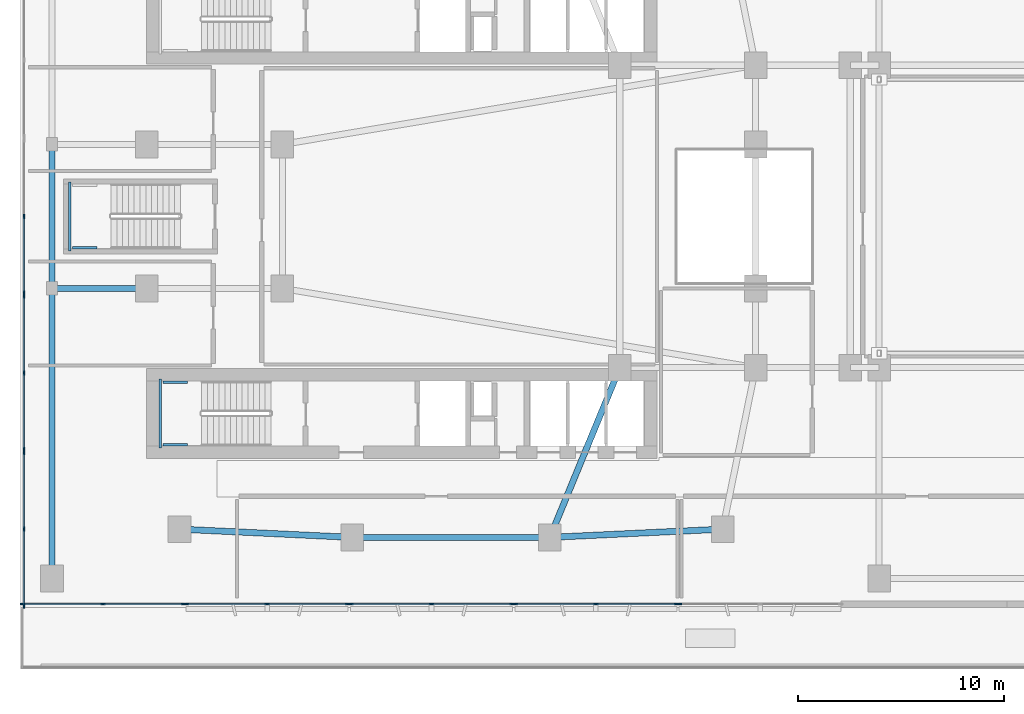
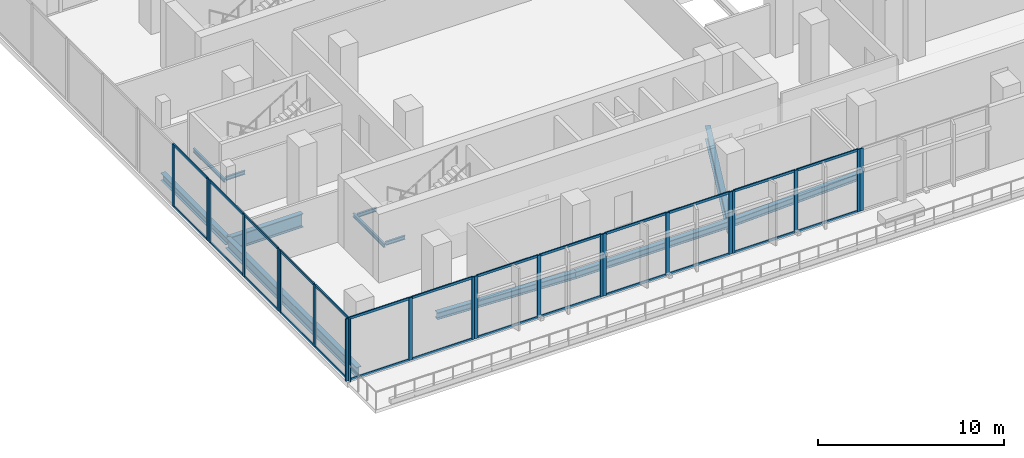
# One storey, part 2 of 31: 47 members, 12 beams, 8 elements without a shape of their own.
"""IFC4 building model written with IfcOpenShell, lengths in metres."""

from ifc_helpers import new_model, si_unit, derived_unit, direction, frame, origin, origin_2d, place, context, subcontext, project, spatial, rectangle, i_section, extrude, material, layer, layer_set, material_profile, profile_set, type_object, element, aggregate, save


model = new_model("IFC4")

# Units and contexts
model_context = context("Model", 3, precision=1e-05, world=origin(), true_north=direction((0.0, 1.0)))
body_context = subcontext(model_context, "Body", "Model", "MODEL_VIEW")
ifc_project = project(units=[si_unit("LENGTHUNIT", "METRE"), si_unit("AREAUNIT", "SQUARE_METRE"), si_unit("VOLUMEUNIT", "CUBIC_METRE"), si_unit("PLANEANGLEUNIT", "RADIAN"), si_unit("MASSUNIT", "GRAM", prefix="KILO"), derived_unit("THERMALTRANSMITTANCEUNIT", [(si_unit("POWERUNIT", "WATT"), 1), (si_unit("LENGTHUNIT", "METRE"), -2), (si_unit("THERMODYNAMICTEMPERATUREUNIT", "KELVIN"), -1)])], contexts=[model_context])

# Site, building, storey
site_placement = place(None, origin())
site = spatial("IfcSite", under=ifc_project, at=site_placement, CompositionType="ELEMENT")
building_placement = place(site_placement, origin())
building = spatial("IfcBuilding", under=site, at=building_placement, Name="Kivonza Crest Hotel", CompositionType="ELEMENT")
storey_placement = place(building_placement, frame((0.0, 0.0, 15.0)))
storey = spatial("IfcBuildingStorey", under=building, at=storey_placement, Name="L03", CompositionType="ELEMENT", Elevation=15.0)

# Beams
ifc_material_1 = material(Name="Steel S355", Category="steel")
ifc_material_profile_1 = material_profile(ifc_material_1, i_section(OverallWidth=0.300048828125, OverallDepth=0.449951171875, WebThickness=0.013916015625, FlangeThickness=0.02587890625, FilletRadius=0.027099609375, at=origin_2d()), Name="HEB 450")
ifc_profile_set_1 = profile_set([ifc_material_profile_1], Name="Steel S355")
beam_type_1 = type_object("IfcBeamType", Name="BM-HEB450", PredefinedType="SPANDREL", material=ifc_profile_set_1)
beam_1_placement = place(storey_placement, frame((16.199951171875, 9.39990234375, -0.574951171875), z_axis=(1.0, 0.0, 0.0), x_axis=(0.0, 1.0, 0.0)))
element("IfcBeam", 1, at=beam_1_placement, inside=storey, type_object=beam_type_1, Name="Tower T1 L03 perimeter spandrel S1-S2", PredefinedType="SPANDREL", context=body_context, shape_type="SweptSolid", body=[
    extrude(i_section(OverallWidth=0.300048828125, OverallDepth=0.449951171875, WebThickness=0.013916015625, FlangeThickness=0.02587890625, FilletRadius=0.027099609375, at=origin_2d()), origin(), (0.0, 0.0, 1.0), 9.60009765625),
])
for number, where, z_axis, x_axis, name in (
    (2, (25.800048828125, 9.39990234375, -0.574951171875), (0.998867283688, 0.047583080799, 0.0), (-0.047583080799, 0.998867283688, 0.0), "Tower T1 L03 perimeter spandrel S2-SE"),
    (3, (7.800048828125, 9.800048828125, -0.574951171875), (0.998867283688, -0.047583080799, 0.0), (0.047583080799, 0.998867283688, 0.0), "Tower T1 L03 perimeter spandrel SW-S1"),
):
    element("IfcBeam", number, at=place(storey_placement, frame(where, z_axis=z_axis, x_axis=x_axis)), inside=storey, type_object=beam_type_1, Name=name, PredefinedType="SPANDREL", context=body_context, shape_type="SweptSolid", body=[
        extrude(i_section(OverallWidth=0.300048828125, OverallDepth=0.449951171875, WebThickness=0.013916015625, FlangeThickness=0.02587890625, FilletRadius=0.027099609375, at=origin_2d()), origin(), (0.0, 0.0, 1.0), 8.409423828125),
    ])
ifc_material_profile_2 = material_profile(ifc_material_1, i_section(OverallWidth=0.300048828125, OverallDepth=0.5, WebThickness=0.014404296875, FlangeThickness=0.028076171875, FilletRadius=0.027099609375, at=origin_2d()), Name="HEB 500")
ifc_profile_set_2 = profile_set([ifc_material_profile_2], Name="Steel S355")
beam_type_2 = type_object("IfcBeamType", Name="BM-HEB500", PredefinedType="BEAM", material=ifc_profile_set_2)
beam_2_placement = place(storey_placement, frame((1.60009765625, 21.5, -0.60009765625), z_axis=(0.0, 1.0, 0.0), x_axis=(-1.0, 0.0, 0.0)))
element("IfcBeam", 4, at=beam_2_placement, inside=storey, type_object=beam_type_2, Name="L03 podium girder Y 28", PredefinedType="BEAM", context=body_context, shape_type="SweptSolid", body=[
    extrude(i_section(OverallWidth=0.300048828125, OverallDepth=0.5, WebThickness=0.014404296875, FlangeThickness=0.028076171875, FilletRadius=0.027099609375, at=origin_2d()), origin(), (0.0, 0.0, 1.0), 7.0),
])
ifc_material_profile_3 = material_profile(ifc_material_1, i_section(OverallWidth=0.300048828125, OverallDepth=0.699951171875, WebThickness=0.01708984375, FlangeThickness=0.031982421875, FilletRadius=0.027099609375, at=origin_2d()), Name="HEB 700")
ifc_profile_set_3 = profile_set([ifc_material_profile_3], Name="Steel S355")
beam_type_3 = type_object("IfcBeamType", Name="BM-HEB700", PredefinedType="BEAM", material=ifc_profile_set_3)
beam_3_placement = place(storey_placement, frame((1.60009765625, 7.39990234375, -0.699951171875), z_axis=(0.0, 1.0, 0.0), x_axis=(-1.0, 0.0, 0.0)))
element("IfcBeam", 5, at=beam_3_placement, inside=storey, type_object=beam_type_3, Name="L03 podium girder Y 27", PredefinedType="BEAM", context=body_context, shape_type="SweptSolid", body=[
    extrude(i_section(OverallWidth=0.300048828125, OverallDepth=0.699951171875, WebThickness=0.01708984375, FlangeThickness=0.031982421875, FilletRadius=0.027099609375, at=origin_2d()), origin(), (0.0, 0.0, 1.0), 14.10009765625),
])
ifc_material_profile_4 = material_profile(ifc_material_1, i_section(OverallWidth=0.300048828125, OverallDepth=0.89990234375, WebThickness=0.0185546875, FlangeThickness=0.034912109375, FilletRadius=0.030029296875, at=origin_2d()), Name="HEB 900")
ifc_profile_set_4 = profile_set([ifc_material_profile_4], Name="Steel S355")
beam_type_4 = type_object("IfcBeamType", Name="BM-HEB900", PredefinedType="BEAM", material=ifc_profile_set_4)
beam_4_placement = place(storey_placement, frame((25.800048828125, 9.39990234375, -0.800048828125), z_axis=(0.381022260404, 0.924565864109, 0.0), x_axis=(-0.924565864109, 0.381022260404, 0.0)))
element("IfcBeam", 6, at=beam_4_placement, inside=storey, type_object=beam_type_4, Name="Tower T1 L03 primary girder S1-TSE", PredefinedType="BEAM", context=body_context, shape_type="SweptSolid", body=[
    extrude(i_section(OverallWidth=0.300048828125, OverallDepth=0.89990234375, WebThickness=0.0185546875, FlangeThickness=0.034912109375, FilletRadius=0.030029296875, at=origin_2d()), origin(), (0.0, 0.0, 1.0), 8.923095703125),
])
beam_5_placement = place(storey_placement, frame((1.60009765625, 21.5, -0.800048828125), z_axis=(1.0, 0.0, 0.0), x_axis=(0.0, 1.0, 0.0)))
element("IfcBeam", 7, at=beam_5_placement, inside=storey, type_object=beam_type_4, Name="Tower T1 L03 outer bay girder ZW1", PredefinedType="BEAM", context=body_context, shape_type="SweptSolid", body=[
    extrude(i_section(OverallWidth=0.300048828125, OverallDepth=0.89990234375, WebThickness=0.0185546875, FlangeThickness=0.034912109375, FilletRadius=0.030029296875, at=origin_2d()), origin(), (0.0, 0.0, 1.0), 4.599853515625),
])
ifc_material_profile_5 = material_profile(ifc_material_1, i_section(OverallWidth=0.1201171875, OverallDepth=0.239990234375, WebThickness=0.006103515625, FlangeThickness=0.009765625, FilletRadius=0.014892578125, at=origin_2d()), Name="IPE 240")
ifc_profile_set_5 = profile_set([ifc_material_profile_5], Name="Steel S355")
beam_type_5 = type_object("IfcBeamType", Name="BM-LLDG-240", PredefinedType="BEAM", material=ifc_profile_set_5)
beam_6_placement = place(storey_placement, frame((6.860107421875, 13.739990234375, 1.929931640625), z_axis=(0.0, 1.0, 0.0), x_axis=(-1.0, 0.0, 0.0)))
element("IfcBeam", 8, at=beam_6_placement, inside=storey, type_object=beam_type_5, Name="Stair ST-T1-S L03 West landing corbel", PredefinedType="BEAM", context=body_context, shape_type="SweptSolid", body=[
    extrude(i_section(OverallWidth=0.1201171875, OverallDepth=0.239990234375, WebThickness=0.006103515625, FlangeThickness=0.009765625, FilletRadius=0.014892578125, at=origin_2d()), origin(), (0.0, 0.0, 1.0), 3.360107421875),
])
for number, where, z_axis, x_axis, name in (
    (9, (6.989990234375, 13.89990234375, 1.929931640625), (1.0, 0.0, 0.0), (0.0, 1.0, 0.0), "Stair ST-T1-S L03 South landing corbel"),
    (10, (6.989990234375, 16.93994140625, 1.929931640625), (1.0, 0.0, 0.0), (0.0, 1.0, 0.0), "Stair ST-T1-S L03 North landing corbel"),
):
    element("IfcBeam", number, at=place(storey_placement, frame(where, z_axis=z_axis, x_axis=x_axis)), inside=storey, type_object=beam_type_5, Name=name, PredefinedType="BEAM", context=body_context, shape_type="SweptSolid", body=[
        extrude(i_section(OverallWidth=0.1201171875, OverallDepth=0.239990234375, WebThickness=0.006103515625, FlangeThickness=0.009765625, FilletRadius=0.014892578125, at=origin_2d()), origin(), (0.0, 0.0, 1.0), 1.2099609375),
    ])
beam_7_placement = place(storey_placement, frame((2.4599609375, 23.320068359375, 1.929931640625), z_axis=(0.0, 1.0, 0.0), x_axis=(-1.0, 0.0, 0.0)))
element("IfcBeam", 11, at=beam_7_placement, inside=storey, type_object=beam_type_5, Name="Stair ST-POD-W L03 West landing corbel", PredefinedType="BEAM", context=body_context, shape_type="SweptSolid", body=[
    extrude(i_section(OverallWidth=0.1201171875, OverallDepth=0.239990234375, WebThickness=0.006103515625, FlangeThickness=0.009765625, FilletRadius=0.014892578125, at=origin_2d()), origin(), (0.0, 0.0, 1.0), 3.35986328125),
])
beam_8_placement = place(storey_placement, frame((2.590087890625, 23.47998046875, 1.929931640625), z_axis=(1.0, 0.0, 0.0), x_axis=(0.0, 1.0, 0.0)))
element("IfcBeam", 12, at=beam_8_placement, inside=storey, type_object=beam_type_5, Name="Stair ST-POD-W L03 South landing corbel", PredefinedType="BEAM", context=body_context, shape_type="SweptSolid", body=[
    extrude(i_section(OverallWidth=0.1201171875, OverallDepth=0.239990234375, WebThickness=0.006103515625, FlangeThickness=0.009765625, FilletRadius=0.014892578125, at=origin_2d()), origin(), (0.0, 0.0, 1.0), 1.2099609375),
])

# Curtain wall, members
ifc_material_2 = material(Name="Anodised bronze aluminium and low-E double glazing", Category="aluminium")
ifc_layer = layer(ifc_material_2, 0.199951171875)
ifc_layer_set = layer_set([ifc_layer], Name="Anodised bronze aluminium and low-E double glazing")
curtain_wall_type = type_object("IfcCurtainWallType", Name="CW-SYS-6", PredefinedType="NOTDEFINED", material=ifc_layer_set)
curtain_wall_1_placement = place(storey_placement, origin())
curtain_wall_1 = element("IfcCurtainWall", 13, at=curtain_wall_1_placement, inside=storey, type_object=curtain_wall_type, Name="L03 unitised curtain wall CW-POD-L03-01", PredefinedType="NOTDEFINED")
ifc_material_3 = material(Name="Anodised bronze aluminium", Category="aluminium")
ifc_material_profile_6 = material_profile(ifc_material_3, rectangle(XDim=0.074951171875, YDim=0.219970703125, at=origin_2d()), Name="CW-M 75x220")
ifc_profile_set_6 = profile_set([ifc_material_profile_6], Name="Anodised bronze aluminium")
member_type_1 = type_object("IfcMemberType", Name="CW-MUL-75x220", PredefinedType="MULLION", material=ifc_profile_set_6)
member_1_placement = place(storey_placement, frame((0.157470703125, 6.159912109375, 0.0), z_axis=(0.0, 0.0, 1.0), x_axis=(0.0, 1.0, 0.0)))
member_1 = element("IfcMember", 14, at=member_1_placement, type_object=member_type_1, Name="CW-6 mullion 1", PredefinedType="MULLION", context=body_context, shape_type="SweptSolid", body=[
    extrude(rectangle(XDim=0.074951171875, YDim=0.219970703125, at=origin_2d()), origin(), (0.0, 0.0, 1.0), 4.10009765625),
])
member_2_placement = place(storey_placement, frame((4.073486328125, 6.159912109375, 0.0), z_axis=(0.0, 0.0, 1.0), x_axis=(0.0, 1.0, 0.0)))
member_2 = element("IfcMember", 15, at=member_2_placement, type_object=member_type_1, Name="CW-6 mullion 2", PredefinedType="MULLION", context=body_context, shape_type="SweptSolid", body=[
    extrude(rectangle(XDim=0.074951171875, YDim=0.219970703125, at=origin_2d()), origin(), (0.0, 0.0, 1.0), 4.10009765625),
])
member_3_placement = place(storey_placement, frame((7.989501953125, 6.159912109375, 0.0), z_axis=(0.0, 0.0, 1.0), x_axis=(0.0, 1.0, 0.0)))
member_3 = element("IfcMember", 16, at=member_3_placement, type_object=member_type_1, Name="CW-6 mullion 3", PredefinedType="MULLION", context=body_context, shape_type="SweptSolid", body=[
    extrude(rectangle(XDim=0.074951171875, YDim=0.219970703125, at=origin_2d()), origin(), (0.0, 0.0, 1.0), 4.10009765625),
])

curtain_wall_2_placement = place(storey_placement, origin())
curtain_wall_2 = element("IfcCurtainWall", 17, at=curtain_wall_2_placement, inside=storey, type_object=curtain_wall_type, Name="L03 unitised curtain wall CW-POD-L03-02", PredefinedType="NOTDEFINED")
member_4_placement = place(storey_placement, frame((8.14453125, 6.159912109375, 0.0), z_axis=(0.0, 0.0, 1.0), x_axis=(0.0, 1.0, 0.0)))
member_4 = element("IfcMember", 18, at=member_4_placement, type_object=member_type_1, Name="CW-6 mullion 1", PredefinedType="MULLION", context=body_context, shape_type="SweptSolid", body=[
    extrude(rectangle(XDim=0.074951171875, YDim=0.219970703125, at=origin_2d()), origin(), (0.0, 0.0, 1.0), 4.10009765625),
])
member_5_placement = place(storey_placement, frame((12.06005859375, 6.159912109375, 0.0), z_axis=(0.0, 0.0, 1.0), x_axis=(0.0, 1.0, 0.0)))
member_5 = element("IfcMember", 19, at=member_5_placement, type_object=member_type_1, Name="CW-6 mullion 2", PredefinedType="MULLION", context=body_context, shape_type="SweptSolid", body=[
    extrude(rectangle(XDim=0.074951171875, YDim=0.219970703125, at=origin_2d()), origin(), (0.0, 0.0, 1.0), 4.10009765625),
])
member_6_placement = place(storey_placement, frame((15.9755859375, 6.159912109375, 0.0), z_axis=(0.0, 0.0, 1.0), x_axis=(0.0, 1.0, 0.0)))
member_6 = element("IfcMember", 20, at=member_6_placement, type_object=member_type_1, Name="CW-6 mullion 3", PredefinedType="MULLION", context=body_context, shape_type="SweptSolid", body=[
    extrude(rectangle(XDim=0.074951171875, YDim=0.219970703125, at=origin_2d()), origin(), (0.0, 0.0, 1.0), 4.10009765625),
])

curtain_wall_3_placement = place(storey_placement, origin())
curtain_wall_3 = element("IfcCurtainWall", 21, at=curtain_wall_3_placement, inside=storey, type_object=curtain_wall_type, Name="L03 unitised curtain wall CW-POD-L03-03", PredefinedType="NOTDEFINED")
member_7_placement = place(storey_placement, frame((16.130615234375, 6.159912109375, 0.0), z_axis=(0.0, 0.0, 1.0), x_axis=(0.0, 1.0, 0.0)))
member_7 = element("IfcMember", 22, at=member_7_placement, type_object=member_type_1, Name="CW-6 mullion 1", PredefinedType="MULLION", context=body_context, shape_type="SweptSolid", body=[
    extrude(rectangle(XDim=0.074951171875, YDim=0.219970703125, at=origin_2d()), origin(), (0.0, 0.0, 1.0), 4.10009765625),
])
member_8_placement = place(storey_placement, frame((20.04638671875, 6.159912109375, 0.0), z_axis=(0.0, 0.0, 1.0), x_axis=(0.0, 1.0, 0.0)))
member_8 = element("IfcMember", 23, at=member_8_placement, type_object=member_type_1, Name="CW-6 mullion 2", PredefinedType="MULLION", context=body_context, shape_type="SweptSolid", body=[
    extrude(rectangle(XDim=0.074951171875, YDim=0.219970703125, at=origin_2d()), origin(), (0.0, 0.0, 1.0), 4.10009765625),
])
member_9_placement = place(storey_placement, frame((23.96240234375, 6.159912109375, 0.0), z_axis=(0.0, 0.0, 1.0), x_axis=(0.0, 1.0, 0.0)))
member_9 = element("IfcMember", 24, at=member_9_placement, type_object=member_type_1, Name="CW-6 mullion 3", PredefinedType="MULLION", context=body_context, shape_type="SweptSolid", body=[
    extrude(rectangle(XDim=0.074951171875, YDim=0.219970703125, at=origin_2d()), origin(), (0.0, 0.0, 1.0), 4.10009765625),
])

curtain_wall_4_placement = place(storey_placement, origin())
curtain_wall_4 = element("IfcCurtainWall", 25, at=curtain_wall_4_placement, inside=storey, type_object=curtain_wall_type, Name="L03 unitised curtain wall CW-POD-L03-04", PredefinedType="NOTDEFINED")
member_10_placement = place(storey_placement, frame((24.117431640625, 6.159912109375, 0.0), z_axis=(0.0, 0.0, 1.0), x_axis=(0.0, 1.0, 0.0)))
member_10 = element("IfcMember", 26, at=member_10_placement, type_object=member_type_1, Name="CW-6 mullion 1", PredefinedType="MULLION", context=body_context, shape_type="SweptSolid", body=[
    extrude(rectangle(XDim=0.074951171875, YDim=0.219970703125, at=origin_2d()), origin(), (0.0, 0.0, 1.0), 4.10009765625),
])
member_11_placement = place(storey_placement, frame((28.033447265625, 6.159912109375, 0.0), z_axis=(0.0, 0.0, 1.0), x_axis=(0.0, 1.0, 0.0)))
member_11 = element("IfcMember", 27, at=member_11_placement, type_object=member_type_1, Name="CW-6 mullion 2", PredefinedType="MULLION", context=body_context, shape_type="SweptSolid", body=[
    extrude(rectangle(XDim=0.074951171875, YDim=0.219970703125, at=origin_2d()), origin(), (0.0, 0.0, 1.0), 4.10009765625),
])
member_12_placement = place(storey_placement, frame((31.949462890625, 6.159912109375, 0.0), z_axis=(0.0, 0.0, 1.0), x_axis=(0.0, 1.0, 0.0)))
member_12 = element("IfcMember", 28, at=member_12_placement, type_object=member_type_1, Name="CW-6 mullion 3", PredefinedType="MULLION", context=body_context, shape_type="SweptSolid", body=[
    extrude(rectangle(XDim=0.074951171875, YDim=0.219970703125, at=origin_2d()), origin(), (0.0, 0.0, 1.0), 4.10009765625),
])

# Curtain wall, member
curtain_wall_5_placement = place(storey_placement, origin())
curtain_wall_5 = element("IfcCurtainWall", 29, at=curtain_wall_5_placement, inside=storey, type_object=curtain_wall_type, Name="L03 unitised curtain wall CW-POD-L03-05", PredefinedType="NOTDEFINED")
member_13_placement = place(storey_placement, frame((32.1044921875, 6.159912109375, 0.0), z_axis=(0.0, 0.0, 1.0), x_axis=(0.0, 1.0, 0.0)))
member_13 = element("IfcMember", 30, at=member_13_placement, type_object=member_type_1, Name="CW-6 mullion 1", PredefinedType="MULLION", context=body_context, shape_type="SweptSolid", body=[
    extrude(rectangle(XDim=0.074951171875, YDim=0.219970703125, at=origin_2d()), origin(), (0.0, 0.0, 1.0), 4.10009765625),
])
aggregate(curtain_wall_5, [member_13])

# Curtain wall, members
curtain_wall_6_placement = place(storey_placement, origin())
curtain_wall_6 = element("IfcCurtainWall", 31, at=curtain_wall_6_placement, inside=storey, type_object=curtain_wall_type, Name="L03 unitised curtain wall CW-POD-L03-32", PredefinedType="NOTDEFINED")
member_14_placement = place(storey_placement, frame((0.239990234375, 25.0, 0.0), z_axis=(0.0, 0.0, 1.0), x_axis=(1.0, 0.0, 0.0)))
member_14 = element("IfcMember", 32, at=member_14_placement, type_object=member_type_1, Name="CW-6 mullion 2", PredefinedType="MULLION", context=body_context, shape_type="SweptSolid", body=[
    extrude(rectangle(XDim=0.074951171875, YDim=0.219970703125, at=origin_2d()), origin(), (0.0, 0.0, 1.0), 4.10009765625),
])
member_15_placement = place(storey_placement, frame((0.239990234375, 21.277587890625, 0.0), z_axis=(0.0, 0.0, 1.0), x_axis=(1.0, 0.0, 0.0)))
member_15 = element("IfcMember", 33, at=member_15_placement, type_object=member_type_1, Name="CW-6 mullion 3", PredefinedType="MULLION", context=body_context, shape_type="SweptSolid", body=[
    extrude(rectangle(XDim=0.074951171875, YDim=0.219970703125, at=origin_2d()), origin(), (0.0, 0.0, 1.0), 4.10009765625),
])

curtain_wall_7_placement = place(storey_placement, origin())
curtain_wall_7 = element("IfcCurtainWall", 34, at=curtain_wall_7_placement, inside=storey, type_object=curtain_wall_type, Name="L03 unitised curtain wall CW-POD-L03-33", PredefinedType="NOTDEFINED")
member_16_placement = place(storey_placement, frame((0.239990234375, 21.12255859375, 0.0), z_axis=(0.0, 0.0, 1.0), x_axis=(1.0, 0.0, 0.0)))
member_16 = element("IfcMember", 35, at=member_16_placement, type_object=member_type_1, Name="CW-6 mullion 1", PredefinedType="MULLION", context=body_context, shape_type="SweptSolid", body=[
    extrude(rectangle(XDim=0.074951171875, YDim=0.219970703125, at=origin_2d()), origin(), (0.0, 0.0, 1.0), 4.10009765625),
])
member_17_placement = place(storey_placement, frame((0.239990234375, 17.39990234375, 0.0), z_axis=(0.0, 0.0, 1.0), x_axis=(1.0, 0.0, 0.0)))
member_17 = element("IfcMember", 36, at=member_17_placement, type_object=member_type_1, Name="CW-6 mullion 2", PredefinedType="MULLION", context=body_context, shape_type="SweptSolid", body=[
    extrude(rectangle(XDim=0.074951171875, YDim=0.219970703125, at=origin_2d()), origin(), (0.0, 0.0, 1.0), 4.10009765625),
])
member_18_placement = place(storey_placement, frame((0.239990234375, 13.677490234375, 0.0), z_axis=(0.0, 0.0, 1.0), x_axis=(1.0, 0.0, 0.0)))
member_18 = element("IfcMember", 37, at=member_18_placement, type_object=member_type_1, Name="CW-6 mullion 3", PredefinedType="MULLION", context=body_context, shape_type="SweptSolid", body=[
    extrude(rectangle(XDim=0.074951171875, YDim=0.219970703125, at=origin_2d()), origin(), (0.0, 0.0, 1.0), 4.10009765625),
])

curtain_wall_8_placement = place(storey_placement, origin())
curtain_wall_8 = element("IfcCurtainWall", 38, at=curtain_wall_8_placement, inside=storey, type_object=curtain_wall_type, Name="L03 unitised curtain wall CW-POD-L03-34", PredefinedType="NOTDEFINED")
member_19_placement = place(storey_placement, frame((0.239990234375, 13.5224609375, 0.0), z_axis=(0.0, 0.0, 1.0), x_axis=(1.0, 0.0, 0.0)))
member_19 = element("IfcMember", 39, at=member_19_placement, type_object=member_type_1, Name="CW-6 mullion 1", PredefinedType="MULLION", context=body_context, shape_type="SweptSolid", body=[
    extrude(rectangle(XDim=0.074951171875, YDim=0.219970703125, at=origin_2d()), origin(), (0.0, 0.0, 1.0), 4.10009765625),
])
member_20_placement = place(storey_placement, frame((0.239990234375, 9.800048828125, 0.0), z_axis=(0.0, 0.0, 1.0), x_axis=(1.0, 0.0, 0.0)))
member_20 = element("IfcMember", 40, at=member_20_placement, type_object=member_type_1, Name="CW-6 mullion 2", PredefinedType="MULLION", context=body_context, shape_type="SweptSolid", body=[
    extrude(rectangle(XDim=0.074951171875, YDim=0.219970703125, at=origin_2d()), origin(), (0.0, 0.0, 1.0), 4.10009765625),
])
member_21_placement = place(storey_placement, frame((0.239990234375, 6.077392578125, 0.0), z_axis=(0.0, 0.0, 1.0), x_axis=(1.0, 0.0, 0.0)))
member_21 = element("IfcMember", 41, at=member_21_placement, type_object=member_type_1, Name="CW-6 mullion 3", PredefinedType="MULLION", context=body_context, shape_type="SweptSolid", body=[
    extrude(rectangle(XDim=0.074951171875, YDim=0.219970703125, at=origin_2d()), origin(), (0.0, 0.0, 1.0), 4.10009765625),
])

# Member
ifc_material_profile_7 = material_profile(ifc_material_3, rectangle(XDim=0.074951171875, YDim=0.159912109375, at=origin_2d()), Name="CW-T 75x160")
ifc_profile_set_7 = profile_set([ifc_material_profile_7], Name="Anodised bronze aluminium")
member_type_2 = type_object("IfcMemberType", Name="CW-TRN-75x160", PredefinedType="USERDEFINED", material=ifc_profile_set_7)
member_22_placement = place(storey_placement, frame((0.195068359375, 6.159912109375, 0.03759765625), z_axis=(1.0, 0.0, 0.0), x_axis=(0.0, 1.0, 0.0)))
member_22 = element("IfcMember", 42, at=member_22_placement, type_object=member_type_2, Name="CW-6 transom 1.1", ObjectType="TRANSOM", PredefinedType="USERDEFINED", context=body_context, shape_type="SweptSolid", body=[
    extrude(rectangle(XDim=0.074951171875, YDim=0.159912109375, at=origin_2d()), origin(), (0.0, 0.0, 1.0), 3.8408203125),
])

member_23_placement = place(storey_placement, frame((0.195068359375, 6.159912109375, 4.0625), z_axis=(1.0, 0.0, 0.0), x_axis=(0.0, 1.0, 0.0)))
member_23 = element("IfcMember", 43, at=member_23_placement, type_object=member_type_2, Name="CW-6 transom 1.2", ObjectType="TRANSOM", PredefinedType="USERDEFINED", context=body_context, shape_type="SweptSolid", body=[
    extrude(rectangle(XDim=0.074951171875, YDim=0.159912109375, at=origin_2d()), origin(), (0.0, 0.0, 1.0), 3.8408203125),
])

member_24_placement = place(storey_placement, frame((4.111083984375, 6.159912109375, 0.03759765625), z_axis=(1.0, 0.0, 0.0), x_axis=(0.0, 1.0, 0.0)))
member_24 = element("IfcMember", 44, at=member_24_placement, type_object=member_type_2, Name="CW-6 transom 2.1", ObjectType="TRANSOM", PredefinedType="USERDEFINED", context=body_context, shape_type="SweptSolid", body=[
    extrude(rectangle(XDim=0.074951171875, YDim=0.159912109375, at=origin_2d()), origin(), (0.0, 0.0, 1.0), 3.8408203125),
])

member_25_placement = place(storey_placement, frame((4.111083984375, 6.159912109375, 4.0625), z_axis=(1.0, 0.0, 0.0), x_axis=(0.0, 1.0, 0.0)))
member_25 = element("IfcMember", 45, at=member_25_placement, type_object=member_type_2, Name="CW-6 transom 2.2", ObjectType="TRANSOM", PredefinedType="USERDEFINED", context=body_context, shape_type="SweptSolid", body=[
    extrude(rectangle(XDim=0.074951171875, YDim=0.159912109375, at=origin_2d()), origin(), (0.0, 0.0, 1.0), 3.8408203125),
])

aggregate(curtain_wall_1, [member_1, member_2, member_3, member_22, member_23, member_24, member_25])

member_26_placement = place(storey_placement, frame((8.181884765625, 6.159912109375, 0.03759765625), z_axis=(1.0, 0.0, 0.0), x_axis=(0.0, 1.0, 0.0)))
member_26 = element("IfcMember", 46, at=member_26_placement, type_object=member_type_2, Name="CW-6 transom 1.1", ObjectType="TRANSOM", PredefinedType="USERDEFINED", context=body_context, shape_type="SweptSolid", body=[
    extrude(rectangle(XDim=0.074951171875, YDim=0.159912109375, at=origin_2d()), origin(), (0.0, 0.0, 1.0), 3.840576171875),
])

member_27_placement = place(storey_placement, frame((8.181884765625, 6.159912109375, 4.0625), z_axis=(1.0, 0.0, 0.0), x_axis=(0.0, 1.0, 0.0)))
member_27 = element("IfcMember", 47, at=member_27_placement, type_object=member_type_2, Name="CW-6 transom 1.2", ObjectType="TRANSOM", PredefinedType="USERDEFINED", context=body_context, shape_type="SweptSolid", body=[
    extrude(rectangle(XDim=0.074951171875, YDim=0.159912109375, at=origin_2d()), origin(), (0.0, 0.0, 1.0), 3.840576171875),
])

member_28_placement = place(storey_placement, frame((12.097412109375, 6.159912109375, 0.03759765625), z_axis=(1.0, 0.0, 0.0), x_axis=(0.0, 1.0, 0.0)))
member_28 = element("IfcMember", 48, at=member_28_placement, type_object=member_type_2, Name="CW-6 transom 2.1", ObjectType="TRANSOM", PredefinedType="USERDEFINED", context=body_context, shape_type="SweptSolid", body=[
    extrude(rectangle(XDim=0.074951171875, YDim=0.159912109375, at=origin_2d()), origin(), (0.0, 0.0, 1.0), 3.840576171875),
])

member_29_placement = place(storey_placement, frame((12.097412109375, 6.159912109375, 4.0625), z_axis=(1.0, 0.0, 0.0), x_axis=(0.0, 1.0, 0.0)))
member_29 = element("IfcMember", 49, at=member_29_placement, type_object=member_type_2, Name="CW-6 transom 2.2", ObjectType="TRANSOM", PredefinedType="USERDEFINED", context=body_context, shape_type="SweptSolid", body=[
    extrude(rectangle(XDim=0.074951171875, YDim=0.159912109375, at=origin_2d()), origin(), (0.0, 0.0, 1.0), 3.840576171875),
])

aggregate(curtain_wall_2, [member_4, member_5, member_6, member_26, member_27, member_28, member_29])

member_30_placement = place(storey_placement, frame((16.16796875, 6.159912109375, 0.03759765625), z_axis=(1.0, 0.0, 0.0), x_axis=(0.0, 1.0, 0.0)))
member_30 = element("IfcMember", 50, at=member_30_placement, type_object=member_type_2, Name="CW-6 transom 1.1", ObjectType="TRANSOM", PredefinedType="USERDEFINED", context=body_context, shape_type="SweptSolid", body=[
    extrude(rectangle(XDim=0.074951171875, YDim=0.159912109375, at=origin_2d()), origin(), (0.0, 0.0, 1.0), 3.841064453125),
])

member_31_placement = place(storey_placement, frame((16.16796875, 6.159912109375, 4.0625), z_axis=(1.0, 0.0, 0.0), x_axis=(0.0, 1.0, 0.0)))
member_31 = element("IfcMember", 51, at=member_31_placement, type_object=member_type_2, Name="CW-6 transom 1.2", ObjectType="TRANSOM", PredefinedType="USERDEFINED", context=body_context, shape_type="SweptSolid", body=[
    extrude(rectangle(XDim=0.074951171875, YDim=0.159912109375, at=origin_2d()), origin(), (0.0, 0.0, 1.0), 3.841064453125),
])

member_32_placement = place(storey_placement, frame((20.083984375, 6.159912109375, 0.03759765625), z_axis=(1.0, 0.0, 0.0), x_axis=(0.0, 1.0, 0.0)))
member_32 = element("IfcMember", 52, at=member_32_placement, type_object=member_type_2, Name="CW-6 transom 2.1", ObjectType="TRANSOM", PredefinedType="USERDEFINED", context=body_context, shape_type="SweptSolid", body=[
    extrude(rectangle(XDim=0.074951171875, YDim=0.159912109375, at=origin_2d()), origin(), (0.0, 0.0, 1.0), 3.841064453125),
])

member_33_placement = place(storey_placement, frame((20.083984375, 6.159912109375, 4.0625), z_axis=(1.0, 0.0, 0.0), x_axis=(0.0, 1.0, 0.0)))
member_33 = element("IfcMember", 53, at=member_33_placement, type_object=member_type_2, Name="CW-6 transom 2.2", ObjectType="TRANSOM", PredefinedType="USERDEFINED", context=body_context, shape_type="SweptSolid", body=[
    extrude(rectangle(XDim=0.074951171875, YDim=0.159912109375, at=origin_2d()), origin(), (0.0, 0.0, 1.0), 3.841064453125),
])

aggregate(curtain_wall_3, [member_7, member_8, member_9, member_30, member_31, member_32, member_33])

member_34_placement = place(storey_placement, frame((24.155029296875, 6.159912109375, 0.03759765625), z_axis=(1.0, 0.0, 0.0), x_axis=(0.0, 1.0, 0.0)))
member_34 = element("IfcMember", 54, at=member_34_placement, type_object=member_type_2, Name="CW-6 transom 1.1", ObjectType="TRANSOM", PredefinedType="USERDEFINED", context=body_context, shape_type="SweptSolid", body=[
    extrude(rectangle(XDim=0.074951171875, YDim=0.159912109375, at=origin_2d()), origin(), (0.0, 0.0, 1.0), 3.841064453125),
])

member_35_placement = place(storey_placement, frame((24.155029296875, 6.159912109375, 4.0625), z_axis=(1.0, 0.0, 0.0), x_axis=(0.0, 1.0, 0.0)))
member_35 = element("IfcMember", 55, at=member_35_placement, type_object=member_type_2, Name="CW-6 transom 1.2", ObjectType="TRANSOM", PredefinedType="USERDEFINED", context=body_context, shape_type="SweptSolid", body=[
    extrude(rectangle(XDim=0.074951171875, YDim=0.159912109375, at=origin_2d()), origin(), (0.0, 0.0, 1.0), 3.841064453125),
])

member_36_placement = place(storey_placement, frame((28.071044921875, 6.159912109375, 0.03759765625), z_axis=(1.0, 0.0, 0.0), x_axis=(0.0, 1.0, 0.0)))
member_36 = element("IfcMember", 56, at=member_36_placement, type_object=member_type_2, Name="CW-6 transom 2.1", ObjectType="TRANSOM", PredefinedType="USERDEFINED", context=body_context, shape_type="SweptSolid", body=[
    extrude(rectangle(XDim=0.074951171875, YDim=0.159912109375, at=origin_2d()), origin(), (0.0, 0.0, 1.0), 3.841064453125),
])

member_37_placement = place(storey_placement, frame((28.071044921875, 6.159912109375, 4.0625), z_axis=(1.0, 0.0, 0.0), x_axis=(0.0, 1.0, 0.0)))
member_37 = element("IfcMember", 57, at=member_37_placement, type_object=member_type_2, Name="CW-6 transom 2.2", ObjectType="TRANSOM", PredefinedType="USERDEFINED", context=body_context, shape_type="SweptSolid", body=[
    extrude(rectangle(XDim=0.074951171875, YDim=0.159912109375, at=origin_2d()), origin(), (0.0, 0.0, 1.0), 3.841064453125),
])

aggregate(curtain_wall_4, [member_10, member_11, member_12, member_34, member_35, member_36, member_37])

member_38_placement = place(storey_placement, frame((0.239990234375, 24.96240234375, 0.03759765625), z_axis=(0.0, -1.0, 0.0), x_axis=(1.0, 0.0, 0.0)))
member_38 = element("IfcMember", 58, at=member_38_placement, type_object=member_type_2, Name="CW-6 transom 2.1", ObjectType="TRANSOM", PredefinedType="USERDEFINED", context=body_context, shape_type="SweptSolid", body=[
    extrude(rectangle(XDim=0.074951171875, YDim=0.159912109375, at=origin_2d()), origin(), (0.0, 0.0, 1.0), 3.6474609375),
])

member_39_placement = place(storey_placement, frame((0.239990234375, 24.96240234375, 4.0625), z_axis=(0.0, -1.0, 0.0), x_axis=(1.0, 0.0, 0.0)))
member_39 = element("IfcMember", 59, at=member_39_placement, type_object=member_type_2, Name="CW-6 transom 2.2", ObjectType="TRANSOM", PredefinedType="USERDEFINED", context=body_context, shape_type="SweptSolid", body=[
    extrude(rectangle(XDim=0.074951171875, YDim=0.159912109375, at=origin_2d()), origin(), (0.0, 0.0, 1.0), 3.6474609375),
])

aggregate(curtain_wall_6, [member_14, member_15, member_38, member_39])

member_40_placement = place(storey_placement, frame((0.239990234375, 21.0849609375, 0.03759765625), z_axis=(0.0, -1.0, 0.0), x_axis=(1.0, 0.0, 0.0)))
member_40 = element("IfcMember", 60, at=member_40_placement, type_object=member_type_2, Name="CW-6 transom 1.1", ObjectType="TRANSOM", PredefinedType="USERDEFINED", context=body_context, shape_type="SweptSolid", body=[
    extrude(rectangle(XDim=0.074951171875, YDim=0.159912109375, at=origin_2d()), origin(), (0.0, 0.0, 1.0), 3.6474609375),
])

member_41_placement = place(storey_placement, frame((0.239990234375, 21.0849609375, 4.0625), z_axis=(0.0, -1.0, 0.0), x_axis=(1.0, 0.0, 0.0)))
member_41 = element("IfcMember", 61, at=member_41_placement, type_object=member_type_2, Name="CW-6 transom 1.2", ObjectType="TRANSOM", PredefinedType="USERDEFINED", context=body_context, shape_type="SweptSolid", body=[
    extrude(rectangle(XDim=0.074951171875, YDim=0.159912109375, at=origin_2d()), origin(), (0.0, 0.0, 1.0), 3.6474609375),
])

member_42_placement = place(storey_placement, frame((0.239990234375, 17.362548828125, 0.03759765625), z_axis=(0.0, -1.0, 0.0), x_axis=(1.0, 0.0, 0.0)))
member_42 = element("IfcMember", 62, at=member_42_placement, type_object=member_type_2, Name="CW-6 transom 2.1", ObjectType="TRANSOM", PredefinedType="USERDEFINED", context=body_context, shape_type="SweptSolid", body=[
    extrude(rectangle(XDim=0.074951171875, YDim=0.159912109375, at=origin_2d()), origin(), (0.0, 0.0, 1.0), 3.6474609375),
])

member_43_placement = place(storey_placement, frame((0.239990234375, 17.362548828125, 4.0625), z_axis=(0.0, -1.0, 0.0), x_axis=(1.0, 0.0, 0.0)))
member_43 = element("IfcMember", 63, at=member_43_placement, type_object=member_type_2, Name="CW-6 transom 2.2", ObjectType="TRANSOM", PredefinedType="USERDEFINED", context=body_context, shape_type="SweptSolid", body=[
    extrude(rectangle(XDim=0.074951171875, YDim=0.159912109375, at=origin_2d()), origin(), (0.0, 0.0, 1.0), 3.6474609375),
])

aggregate(curtain_wall_7, [member_16, member_17, member_18, member_40, member_41, member_42, member_43])

member_44_placement = place(storey_placement, frame((0.239990234375, 13.485107421875, 0.03759765625), z_axis=(0.0, -1.0, 0.0), x_axis=(1.0, 0.0, 0.0)))
member_44 = element("IfcMember", 64, at=member_44_placement, type_object=member_type_2, Name="CW-6 transom 1.1", ObjectType="TRANSOM", PredefinedType="USERDEFINED", context=body_context, shape_type="SweptSolid", body=[
    extrude(rectangle(XDim=0.074951171875, YDim=0.159912109375, at=origin_2d()), origin(), (0.0, 0.0, 1.0), 3.647705078125),
])

member_45_placement = place(storey_placement, frame((0.239990234375, 13.485107421875, 4.0625), z_axis=(0.0, -1.0, 0.0), x_axis=(1.0, 0.0, 0.0)))
member_45 = element("IfcMember", 65, at=member_45_placement, type_object=member_type_2, Name="CW-6 transom 1.2", ObjectType="TRANSOM", PredefinedType="USERDEFINED", context=body_context, shape_type="SweptSolid", body=[
    extrude(rectangle(XDim=0.074951171875, YDim=0.159912109375, at=origin_2d()), origin(), (0.0, 0.0, 1.0), 3.647705078125),
])

member_46_placement = place(storey_placement, frame((0.239990234375, 9.762451171875, 0.03759765625), z_axis=(0.0, -1.0, 0.0), x_axis=(1.0, 0.0, 0.0)))
member_46 = element("IfcMember", 66, at=member_46_placement, type_object=member_type_2, Name="CW-6 transom 2.1", ObjectType="TRANSOM", PredefinedType="USERDEFINED", context=body_context, shape_type="SweptSolid", body=[
    extrude(rectangle(XDim=0.074951171875, YDim=0.159912109375, at=origin_2d()), origin(), (0.0, 0.0, 1.0), 3.6474609375),
])

member_47_placement = place(storey_placement, frame((0.239990234375, 9.762451171875, 4.0625), z_axis=(0.0, -1.0, 0.0), x_axis=(1.0, 0.0, 0.0)))
member_47 = element("IfcMember", 67, at=member_47_placement, type_object=member_type_2, Name="CW-6 transom 2.2", ObjectType="TRANSOM", PredefinedType="USERDEFINED", context=body_context, shape_type="SweptSolid", body=[
    extrude(rectangle(XDim=0.074951171875, YDim=0.159912109375, at=origin_2d()), origin(), (0.0, 0.0, 1.0), 3.6474609375),
])

aggregate(curtain_wall_8, [member_19, member_20, member_21, member_44, member_45, member_46, member_47])

save(model, "model.ifc")
